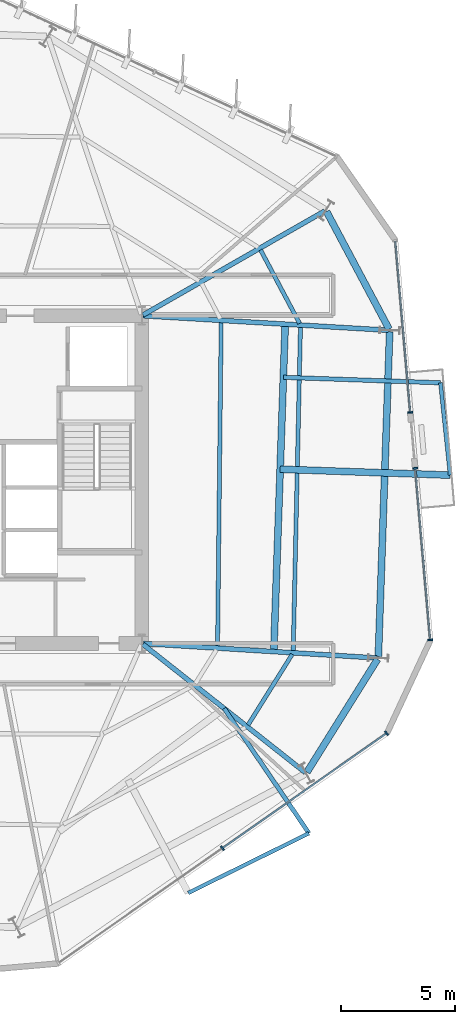
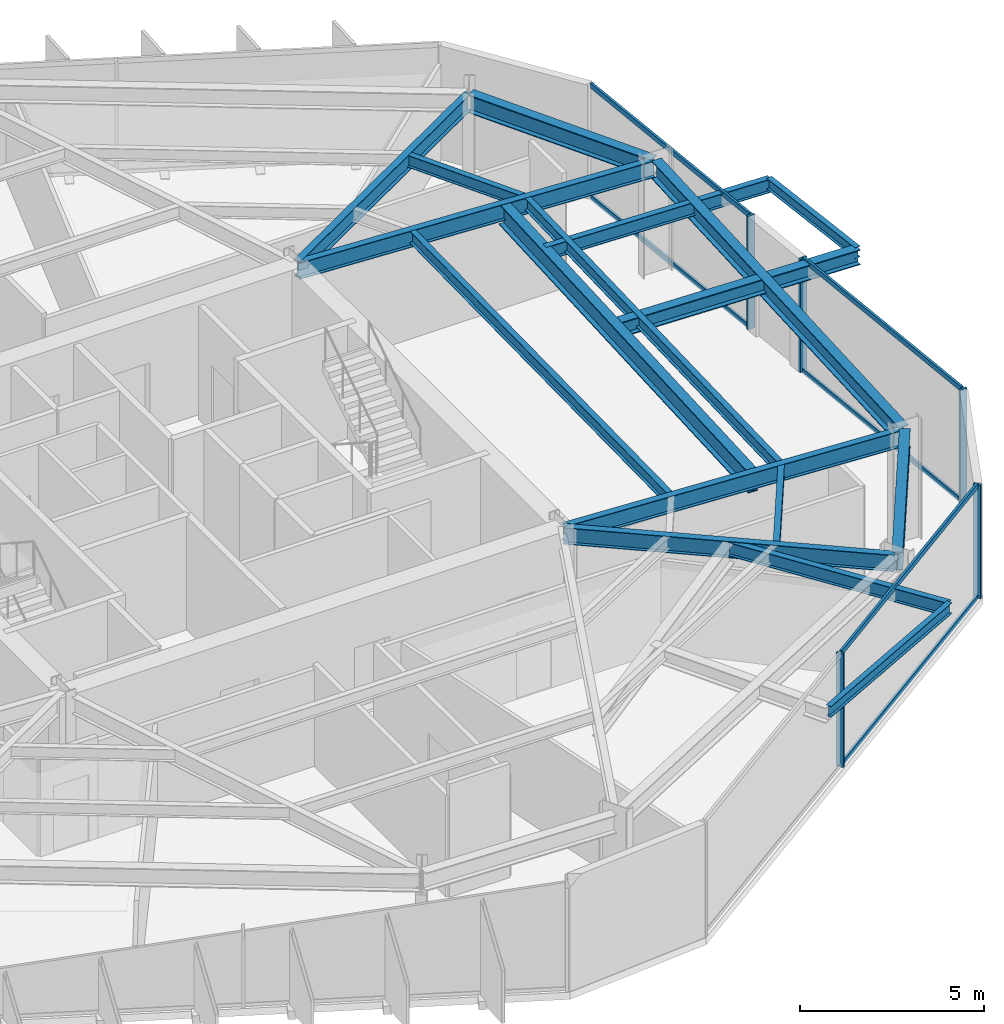
# One storey, part 4 of 13: 17 beams, 11 members, 3 elements without a shape of their own.
"""IFC4 building model written with IfcOpenShell, lengths in metres."""

from ifc_helpers import new_model, si_unit, direction, frame, origin, origin_2d, place, context, subcontext, project, spatial, rectangle, i_section, extrude, material, layer, layer_set, material_profile, profile_set, type_object, element, aggregate, save


model = new_model("IFC4")

# Units and contexts
model_context = context("Model", 3, precision=1e-05, world=origin(), true_north=direction((0.0, 1.0)))
body_context = subcontext(model_context, "Body", "Model", "MODEL_VIEW")
ifc_project = project(units=[si_unit("LENGTHUNIT", "METRE"), si_unit("AREAUNIT", "SQUARE_METRE"), si_unit("VOLUMEUNIT", "CUBIC_METRE"), si_unit("PLANEANGLEUNIT", "RADIAN"), si_unit("MASSUNIT", "GRAM", prefix="KILO")], contexts=[model_context])

# Site, building, storey
site_placement = place(None, origin())
site = spatial("IfcSite", under=ifc_project, at=site_placement, CompositionType="ELEMENT")
building_placement = place(site_placement, origin())
building = spatial("IfcBuilding", under=site, at=building_placement, Name="Kranzbogen Civic Tower", CompositionType="ELEMENT")
storey_placement = place(building_placement, frame((0.0, 0.0, 162.39990234375)))
storey = spatial("IfcBuildingStorey", under=building, at=storey_placement, Name="L39", CompositionType="ELEMENT", Elevation=162.39990234375)

# Beams
ifc_material_1 = material(Name="Steel S355", Category="steel")
ifc_material_profile_1 = material_profile(ifc_material_1, i_section(OverallWidth=0.18994140625, OverallDepth=0.449951171875, WebThickness=0.009521484375, FlangeThickness=0.0146484375, at=origin_2d()), Name="IPE 450")
ifc_profile_set_1 = profile_set([ifc_material_profile_1], Name="Steel S355")
beam_type_1 = type_object("IfcBeamType", Name="Braced Terrace Edge Beam IPE 450", PredefinedType="BEAM", material=ifc_profile_set_1)
beam_1_placement = place(storey_placement, frame((39.01611328125, 29.491943359375, 3.525146484375), z_axis=(0.999391430278, -0.034882217331, 0.0), x_axis=(0.034882217331, 0.999391430278, 0.0)))
element("IfcBeam", 1, at=beam_1_placement, inside=storey, type_object=beam_type_1, Name="L40 back-spanned terrace beam L40-TB2-2", PredefinedType="BEAM", context=body_context, shape_type="SweptSolid", body=[
    extrude(i_section(OverallWidth=0.18994140625, OverallDepth=0.449951171875, WebThickness=0.009521484375, FlangeThickness=0.0146484375, at=origin_2d()), origin(), (0.0, 0.0, 1.0), 6.907958984375),
])
beam_2_placement = place(storey_placement, frame((36.4140625, 14.944091796875, 3.4951171875), z_axis=(0.562087432025, -0.827077819047, 0.0), x_axis=(0.827077819047, 0.562087432025, 0.0)))
element("IfcBeam", 2, at=beam_2_placement, inside=storey, type_object=beam_type_1, Name="L40 back-spanned terrace beam L40-ST-2", PredefinedType="BEAM", context=body_context, shape_type="SweptSolid", body=[
    extrude(i_section(OverallWidth=0.18994140625, OverallDepth=0.449951171875, WebThickness=0.009521484375, FlangeThickness=0.0146484375, at=origin_2d()), origin(), (0.0, 0.0, 1.0), 6.630615234375),
])

# Curtain wall, members
ifc_material_2 = material(Name="Pale Anodised Aluminium", Category="aluminium")
ifc_layer = layer(ifc_material_2, 0.219970703125, Name="Pale Anodised Aluminium")
ifc_layer_set = layer_set([ifc_layer], Name="Pale Anodised Aluminium")
curtain_wall_type = type_object("IfcCurtainWallType", Name="Zone 2 Stick Curtain Wall System CW-03", PredefinedType="USERDEFINED", material=ifc_layer_set)
curtain_wall_1_placement = place(storey_placement, origin())
curtain_wall_1 = element("IfcCurtainWall", 3, at=curtain_wall_1_placement, inside=storey, type_object=curtain_wall_type, Name="L39 curtain wall CW-L39-F5", ObjectType="STICK CURTAIN WALL", PredefinedType="USERDEFINED")
ifc_material_profile_2 = material_profile(ifc_material_2, rectangle(XDim=0.074951171875, YDim=0.219970703125, at=origin_2d()), Name="ALU-M 75x220")
ifc_profile_set_2 = profile_set([ifc_material_profile_2], Name="Pale Anodised Aluminium")
member_type_1 = type_object("IfcMemberType", Name="Curtain Wall Mullion ALU-M 75x220", PredefinedType="MULLION", material=ifc_profile_set_2)
member_1_placement = place(storey_placement, frame((36.340576171875, 8.803466796875, 0.0), z_axis=(0.0, 0.0, 1.0), x_axis=(0.819128209285, 0.573610474759, 0.0)))
member_1 = element("IfcMember", 4, at=member_1_placement, type_object=member_type_1, Name="CW-03 mullion 2", PredefinedType="MULLION", context=body_context, shape_type="SweptSolid", body=[
    extrude(rectangle(XDim=0.074951171875, YDim=0.219970703125, at=origin_2d()), origin(), (0.0, 0.0, 1.0), 3.760009765625),
])
member_2_placement = place(storey_placement, frame((43.552490234375, 13.853759765625, 0.0), z_axis=(0.0, 0.0, 1.0), x_axis=(0.819128209285, 0.573610474759, 0.0)))
member_2 = element("IfcMember", 5, at=member_2_placement, type_object=member_type_1, Name="CW-03 mullion 3", PredefinedType="MULLION", context=body_context, shape_type="SweptSolid", body=[
    extrude(rectangle(XDim=0.074951171875, YDim=0.219970703125, at=origin_2d()), origin(), (0.0, 0.0, 1.0), 3.760009765625),
])

curtain_wall_2_placement = place(storey_placement, origin())
curtain_wall_2 = element("IfcCurtainWall", 6, at=curtain_wall_2_placement, inside=storey, type_object=curtain_wall_type, Name="L39 curtain wall CW-L39-F6-S1", ObjectType="STICK CURTAIN WALL", PredefinedType="USERDEFINED")
member_3_placement = place(storey_placement, frame((45.46435546875, 17.952880859375, 0.0), z_axis=(0.0, 0.0, 1.0), x_axis=(-0.087121445202, 0.996197698143, 0.0)))
member_3 = element("IfcMember", 7, at=member_3_placement, type_object=member_type_1, Name="CW-03 mullion 1", PredefinedType="MULLION", context=body_context, shape_type="SweptSolid", body=[
    extrude(rectangle(XDim=0.074951171875, YDim=0.219970703125, at=origin_2d()), origin(), (0.0, 0.0, 1.0), 3.760009765625),
])
member_4_placement = place(storey_placement, frame((44.8046875, 25.4970703125, 0.0), z_axis=(0.0, 0.0, 1.0), x_axis=(-0.087121445202, 0.996197698143, 0.0)))
member_4 = element("IfcMember", 8, at=member_4_placement, type_object=member_type_1, Name="CW-03 mullion 2", PredefinedType="MULLION", context=body_context, shape_type="SweptSolid", body=[
    extrude(rectangle(XDim=0.074951171875, YDim=0.219970703125, at=origin_2d()), origin(), (0.0, 0.0, 1.0), 3.760009765625),
])

# Curtain wall, member
curtain_wall_3_placement = place(storey_placement, origin())
curtain_wall_3 = element("IfcCurtainWall", 9, at=curtain_wall_3_placement, inside=storey, type_object=curtain_wall_type, Name="L39 curtain wall CW-L39-F6-S2", ObjectType="STICK CURTAIN WALL", PredefinedType="USERDEFINED")
member_5_placement = place(storey_placement, frame((44.58935546875, 27.947998046875, 0.0), z_axis=(0.0, 0.0, 1.0), x_axis=(-0.087098710395, 0.996199686131, 0.0)))
member_5 = element("IfcMember", 10, at=member_5_placement, type_object=member_type_1, Name="CW-03 mullion 1", PredefinedType="MULLION", context=body_context, shape_type="SweptSolid", body=[
    extrude(rectangle(XDim=0.074951171875, YDim=0.219970703125, at=origin_2d()), origin(), (0.0, 0.0, 1.0), 3.760009765625),
])

# Member
ifc_material_profile_3 = material_profile(ifc_material_2, rectangle(XDim=0.074951171875, YDim=0.1650390625, at=origin_2d()), Name="ALU-T 75x165")
ifc_profile_set_3 = profile_set([ifc_material_profile_3], Name="Pale Anodised Aluminium")
member_type_2 = type_object("IfcMemberType", Name="Curtain Wall Transom ALU-T 75x165", PredefinedType="USERDEFINED", material=ifc_profile_set_3)
member_6_placement = place(storey_placement, frame((36.364990234375, 8.82080078125, 0.030029296875), z_axis=(0.819130910341, 0.573606617573, 0.0), x_axis=(-0.573606617573, 0.819130910341, 0.0)))
member_6 = element("IfcMember", 11, at=member_6_placement, type_object=member_type_2, Name="CW-03 transom 2.1", ObjectType="TRANSOM", PredefinedType="USERDEFINED", context=body_context, shape_type="SweptSolid", body=[
    extrude(rectangle(XDim=0.074951171875, YDim=0.1650390625, at=origin_2d()), origin(), (0.0, 0.0, 1.0), 8.744384765625),
])

member_7_placement = place(storey_placement, frame((36.364990234375, 8.82080078125, 3.72998046875), z_axis=(0.819130910341, 0.573606617573, 0.0), x_axis=(-0.573606617573, 0.819130910341, 0.0)))
member_7 = element("IfcMember", 12, at=member_7_placement, type_object=member_type_2, Name="CW-03 transom 2.2", ObjectType="TRANSOM", PredefinedType="USERDEFINED", context=body_context, shape_type="SweptSolid", body=[
    extrude(rectangle(XDim=0.074951171875, YDim=0.1650390625, at=origin_2d()), origin(), (0.0, 0.0, 1.0), 8.744384765625),
])

aggregate(curtain_wall_1, [member_1, member_2, member_6, member_7])

member_8_placement = place(storey_placement, frame((45.461669921875, 17.982666015625, 0.030029296875), z_axis=(-0.087118981193, 0.996197913628, 0.0), x_axis=(-0.996197913628, -0.087118981193, 0.0)))
member_8 = element("IfcMember", 13, at=member_8_placement, type_object=member_type_2, Name="CW-03 transom 1.1", ObjectType="TRANSOM", PredefinedType="USERDEFINED", context=body_context, shape_type="SweptSolid", body=[
    extrude(rectangle(XDim=0.074951171875, YDim=0.1650390625, at=origin_2d()), origin(), (0.0, 0.0, 1.0), 7.51318359375),
])

member_9_placement = place(storey_placement, frame((45.461669921875, 17.982666015625, 3.72998046875), z_axis=(-0.087118981193, 0.996197913628, 0.0), x_axis=(-0.996197913628, -0.087118981193, 0.0)))
member_9 = element("IfcMember", 14, at=member_9_placement, type_object=member_type_2, Name="CW-03 transom 1.2", ObjectType="TRANSOM", PredefinedType="USERDEFINED", context=body_context, shape_type="SweptSolid", body=[
    extrude(rectangle(XDim=0.074951171875, YDim=0.1650390625, at=origin_2d()), origin(), (0.0, 0.0, 1.0), 7.51318359375),
])

aggregate(curtain_wall_2, [member_3, member_4, member_8, member_9])

member_10_placement = place(storey_placement, frame((44.586669921875, 27.977783203125, 0.030029296875), z_axis=(-0.087099244499, 0.996199639434, 0.0), x_axis=(-0.996199639434, -0.087099244499, 0.0)))
member_10 = element("IfcMember", 15, at=member_10_placement, type_object=member_type_2, Name="CW-03 transom 1.1", ObjectType="TRANSOM", PredefinedType="USERDEFINED", context=body_context, shape_type="SweptSolid", body=[
    extrude(rectangle(XDim=0.074951171875, YDim=0.1650390625, at=origin_2d()), origin(), (0.0, 0.0, 1.0), 7.514892578125),
])

member_11_placement = place(storey_placement, frame((44.586669921875, 27.977783203125, 3.72998046875), z_axis=(-0.087099244499, 0.996199639434, 0.0), x_axis=(-0.996199639434, -0.087099244499, 0.0)))
member_11 = element("IfcMember", 16, at=member_11_placement, type_object=member_type_2, Name="CW-03 transom 1.2", ObjectType="TRANSOM", PredefinedType="USERDEFINED", context=body_context, shape_type="SweptSolid", body=[
    extrude(rectangle(XDim=0.074951171875, YDim=0.1650390625, at=origin_2d()), origin(), (0.0, 0.0, 1.0), 7.514892578125),
])

aggregate(curtain_wall_3, [member_5, member_10, member_11])

# Beams
ifc_material_profile_4 = material_profile(ifc_material_1, i_section(OverallWidth=0.300048828125, OverallDepth=0.5, WebThickness=0.014404296875, FlangeThickness=0.028076171875, at=origin_2d()), Name="HEB 500")
ifc_profile_set_4 = profile_set([ifc_material_profile_4], Name="Steel S355")
beam_type_2 = type_object("IfcBeamType", Name="Perimeter Tube Spandrel Beam HEB 500", PredefinedType="SPANDREL", material=ifc_profile_set_4)
beam_3_placement = place(storey_placement, frame((38.8759765625, 25.4541015625, 3.5), z_axis=(0.999390383229, -0.034912202858, 0.0), x_axis=(0.034912202858, 0.999390383229, 0.0)))
element("IfcBeam", 17, at=beam_3_placement, inside=storey, type_object=beam_type_2, Name="L40 back-spanned terrace beam L40-TB2-1", PredefinedType="SPANDREL", context=body_context, shape_type="SweptSolid", body=[
    extrude(i_section(OverallWidth=0.300048828125, OverallDepth=0.5, WebThickness=0.014404296875, FlangeThickness=0.028076171875, at=origin_2d()), origin(), (0.0, 0.0, 1.0), 7.4755859375),
])
ifc_material_profile_5 = material_profile(ifc_material_1, i_section(OverallWidth=0.300048828125, OverallDepth=0.60009765625, WebThickness=0.015380859375, FlangeThickness=0.030029296875, at=origin_2d()), Name="HEB 600")
ifc_profile_set_5 = profile_set([ifc_material_profile_5], Name="Steel S355")
beam_type_3 = type_object("IfcBeamType", Name="Perimeter Tube Spandrel Beam HEB 600", PredefinedType="SPANDREL", material=ifc_profile_set_5)
beam_4_placement = place(storey_placement, frame((40.054931640625, 12.14306640625, 3.460205078125), z_axis=(0.529863902903, 0.848082687242, 0.0), x_axis=(-0.848082687242, 0.529863902903, 0.0)))
element("IfcBeam", 18, at=beam_4_placement, inside=storey, type_object=beam_type_3, Name="L39 perimeter spandrel beam 05", PredefinedType="SPANDREL", context=body_context, shape_type="SweptSolid", body=[
    extrude(i_section(OverallWidth=0.300048828125, OverallDepth=0.60009765625, WebThickness=0.015380859375, FlangeThickness=0.030029296875, at=origin_2d()), origin(), (0.0, 0.0, 1.0), 5.850830078125),
])
beam_5_placement = place(storey_placement, frame((43.18896484375, 17.216064453125, 3.460205078125), z_axis=(0.034924229103, 0.999389963038, 0.0), x_axis=(-0.999389963038, 0.034924229103, 0.0)))
element("IfcBeam", 19, at=beam_5_placement, inside=storey, type_object=beam_type_3, Name="L39 perimeter spandrel beam 06", PredefinedType="SPANDREL", context=body_context, shape_type="SweptSolid", body=[
    extrude(i_section(OverallWidth=0.300048828125, OverallDepth=0.60009765625, WebThickness=0.015380859375, FlangeThickness=0.030029296875, at=origin_2d()), origin(), (0.0, 0.0, 1.0), 14.288818359375),
])
beam_6_placement = place(storey_placement, frame((43.662109375, 31.60888671875, 3.460205078125), z_axis=(-0.469565926668, 0.882897412224, 0.0), x_axis=(-0.882897412224, -0.469565926668, 0.0)))
element("IfcBeam", 20, at=beam_6_placement, inside=storey, type_object=beam_type_3, Name="L39 perimeter spandrel beam 07", PredefinedType="SPANDREL", context=body_context, shape_type="SweptSolid", body=[
    extrude(i_section(OverallWidth=0.300048828125, OverallDepth=0.60009765625, WebThickness=0.015380859375, FlangeThickness=0.030029296875, at=origin_2d()), origin(), (0.0, 0.0, 1.0), 5.852294921875),
])
ifc_material_profile_6 = material_profile(ifc_material_1, i_section(OverallWidth=0.300048828125, OverallDepth=0.699951171875, WebThickness=0.01708984375, FlangeThickness=0.031982421875, at=origin_2d()), Name="HEB 700")
ifc_profile_set_6 = profile_set([ifc_material_profile_6], Name="Steel S355")
beam_type_4 = type_object("IfcBeamType", Name="Perimeter Tube Spandrel Beam HEB 700", PredefinedType="SPANDREL", material=ifc_profile_set_6)
beam_7_placement = place(storey_placement, frame((38.595947265625, 17.44091796875, 3.400146484375), z_axis=(0.034868227602, 0.99939191847, 0.0), x_axis=(-0.99939191847, 0.034868227602, 0.0)))
element("IfcBeam", 21, at=beam_7_placement, inside=storey, type_object=beam_type_4, Name="L40 balcony back-span header girder L40-TB2", PredefinedType="SPANDREL", context=body_context, shape_type="SweptSolid", body=[
    extrude(i_section(OverallWidth=0.300048828125, OverallDepth=0.699951171875, WebThickness=0.01708984375, FlangeThickness=0.031982421875, at=origin_2d()), origin(), (0.0, 0.0, 1.0), 14.395751953125),
])
ifc_material_profile_7 = material_profile(ifc_material_1, i_section(OverallWidth=0.2099609375, OverallDepth=0.550048828125, WebThickness=0.010986328125, FlangeThickness=0.01708984375, at=origin_2d()), Name="IPE 550")
ifc_profile_set_7 = profile_set([ifc_material_profile_7], Name="Steel S355")
beam_type_5 = type_object("IfcBeamType", Name="Radial Tower Floor Girder IPE 550", PredefinedType="BEAM", material=ifc_profile_set_7)
beam_8_placement = place(storey_placement, frame((39.97607421875, 12.12890625, 3.485107421875), z_axis=(-0.78457455683, 0.620034486763, 0.0), x_axis=(-0.620034486763, -0.78457455683, 0.0)))
element("IfcBeam", 22, at=beam_8_placement, inside=storey, type_object=beam_type_5, Name="L39 radial floor girder 05", PredefinedType="BEAM", context=body_context, shape_type="SweptSolid", body=[
    extrude(i_section(OverallWidth=0.2099609375, OverallDepth=0.550048828125, WebThickness=0.010986328125, FlangeThickness=0.01708984375, at=origin_2d()), origin(), (0.0, 0.0, 1.0), 9.086669921875),
])
beam_9_placement = place(storey_placement, frame((43.126953125, 17.159912109375, 3.485107421875), z_axis=(-0.998086872961, 0.061827130147, 0.0), x_axis=(-0.061827130147, -0.998086872961, 0.0)))
element("IfcBeam", 23, at=beam_9_placement, inside=storey, type_object=beam_type_5, Name="L39 radial floor girder 06", PredefinedType="BEAM", context=body_context, shape_type="SweptSolid", body=[
    extrude(i_section(OverallWidth=0.2099609375, OverallDepth=0.550048828125, WebThickness=0.010986328125, FlangeThickness=0.01708984375, at=origin_2d()), origin(), (0.0, 0.0, 1.0), 10.28662109375),
])
beam_10_placement = place(storey_placement, frame((43.6298828125, 31.56005859375, 3.485107421875), z_axis=(-0.998260925387, 0.058950189528, 0.0), x_axis=(-0.058950189528, -0.998260925387, 0.0)))
element("IfcBeam", 24, at=beam_10_placement, inside=storey, type_object=beam_type_5, Name="L39 radial floor girder 07", PredefinedType="BEAM", context=body_context, shape_type="SweptSolid", body=[
    extrude(i_section(OverallWidth=0.2099609375, OverallDepth=0.550048828125, WebThickness=0.010986328125, FlangeThickness=0.01708984375, at=origin_2d()), origin(), (0.0, 0.0, 1.0), 10.78857421875),
])
beam_11_placement = place(storey_placement, frame((40.833984375, 36.799072265625, 3.485107421875), z_axis=(-0.867868812182, -0.496793442833, 0.0), x_axis=(0.496793442833, -0.867868812182, 0.0)))
element("IfcBeam", 25, at=beam_11_placement, inside=storey, type_object=beam_type_5, Name="L39 radial floor girder 08", PredefinedType="BEAM", context=body_context, shape_type="SweptSolid", body=[
    extrude(i_section(OverallWidth=0.2099609375, OverallDepth=0.550048828125, WebThickness=0.010986328125, FlangeThickness=0.01708984375, at=origin_2d()), origin(), (0.0, 0.0, 1.0), 9.197265625),
])
ifc_material_profile_8 = material_profile(ifc_material_1, i_section(OverallWidth=0.169921875, OverallDepth=0.360107421875, WebThickness=0.008056640625, FlangeThickness=0.0126953125, at=origin_2d()), Name="IPE 360")
ifc_profile_set_8 = profile_set([ifc_material_profile_8], Name="Steel S355")
beam_type_6 = type_object("IfcBeamType", Name="Secondary Composite Floor Joist IPE 360", PredefinedType="JOIST", material=ifc_profile_set_8)
beam_12_placement = place(storey_placement, frame((46.346923828125, 25.193115234375, 3.570068359375), z_axis=(-0.104650523063, 0.994509058794, 0.0), x_axis=(-0.994509058794, -0.104650523063, 0.0)))
element("IfcBeam", 26, at=beam_12_placement, inside=storey, type_object=beam_type_6, Name="L40 terrace outer edge trimmer L40-TB2", PredefinedType="JOIST", context=body_context, shape_type="SweptSolid", body=[
    extrude(i_section(OverallWidth=0.169921875, OverallDepth=0.360107421875, WebThickness=0.008056640625, FlangeThickness=0.0126953125, at=origin_2d()), origin(), (0.0, 0.0, 1.0), 4.080322265625),
])
beam_13_placement = place(storey_placement, frame((34.8359375, 6.8369140625, 3.5400390625), z_axis=(0.896414893617, 0.443215905063, 0.0), x_axis=(-0.443215905063, 0.896414893617, 0.0)))
element("IfcBeam", 27, at=beam_13_placement, inside=storey, type_object=beam_type_6, Name="L40 terrace outer edge trimmer L40-ST", PredefinedType="JOIST", context=body_context, shape_type="SweptSolid", body=[
    extrude(i_section(OverallWidth=0.169921875, OverallDepth=0.360107421875, WebThickness=0.008056640625, FlangeThickness=0.0126953125, at=origin_2d()), origin(), (0.0, 0.0, 1.0), 5.918212890625),
])
ifc_material_profile_9 = material_profile(ifc_material_1, i_section(OverallWidth=0.179931640625, OverallDepth=0.39990234375, WebThickness=0.008544921875, FlangeThickness=0.013427734375, at=origin_2d()), Name="IPE 400")
ifc_profile_set_9 = profile_set([ifc_material_profile_9], Name="Steel S355")
beam_type_7 = type_object("IfcBeamType", Name="Secondary Composite Floor Joist IPE 400", PredefinedType="JOIST", material=ifc_profile_set_9)
beam_14_placement = place(storey_placement, frame((37.465087890625, 14.215087890625, 3.56005859375), z_axis=(0.529867065107, 0.848080711557, 0.0), x_axis=(-0.848080711557, 0.529867065107, 0.0)))
element("IfcBeam", 28, at=beam_14_placement, inside=storey, type_object=beam_type_7, Name="L39 secondary floor joist 1.05", PredefinedType="JOIST", context=body_context, shape_type="SweptSolid", body=[
    extrude(i_section(OverallWidth=0.179931640625, OverallDepth=0.39990234375, WebThickness=0.008544921875, FlangeThickness=0.013427734375, at=origin_2d()), origin(), (0.0, 0.0, 1.0), 3.6611328125),
])
beam_15_placement = place(storey_placement, frame((39.448974609375, 17.468017578125, 3.56005859375), z_axis=(0.022402523442, 0.999749031979, 0.0), x_axis=(-0.999749031979, 0.022402523442, 0.0)))
element("IfcBeam", 29, at=beam_15_placement, inside=storey, type_object=beam_type_7, Name="L39 secondary floor joist 1.06", PredefinedType="JOIST", context=body_context, shape_type="SweptSolid", body=[
    extrude(i_section(OverallWidth=0.179931640625, OverallDepth=0.39990234375, WebThickness=0.008544921875, FlangeThickness=0.013427734375, at=origin_2d()), origin(), (0.0, 0.0, 1.0), 14.24365234375),
])
beam_16_placement = place(storey_placement, frame((36.125, 17.674072265625, 3.56005859375), z_axis=(0.011160516663, 0.999937719494, 0.0), x_axis=(-0.999937719494, 0.011160516663, 0.0)))
element("IfcBeam", 30, at=beam_16_placement, inside=storey, type_object=beam_type_7, Name="L39 secondary floor joist 2.06", PredefinedType="JOIST", context=body_context, shape_type="SweptSolid", body=[
    extrude(i_section(OverallWidth=0.179931640625, OverallDepth=0.39990234375, WebThickness=0.008544921875, FlangeThickness=0.013427734375, at=origin_2d()), origin(), (0.0, 0.0, 1.0), 14.240966796875),
])
beam_17_placement = place(storey_placement, frame((39.73193359375, 31.85791015625, 3.56005859375), z_axis=(-0.469338791783, 0.88301817565, 0.0), x_axis=(-0.88301817565, -0.469338791783, 0.0)))
element("IfcBeam", 31, at=beam_17_placement, inside=storey, type_object=beam_type_7, Name="L39 secondary floor joist 1.07", PredefinedType="JOIST", context=body_context, shape_type="SweptSolid", body=[
    extrude(i_section(OverallWidth=0.179931640625, OverallDepth=0.39990234375, WebThickness=0.008544921875, FlangeThickness=0.013427734375, at=origin_2d()), origin(), (0.0, 0.0, 1.0), 3.66259765625),
])

save(model, "model.ifc")
